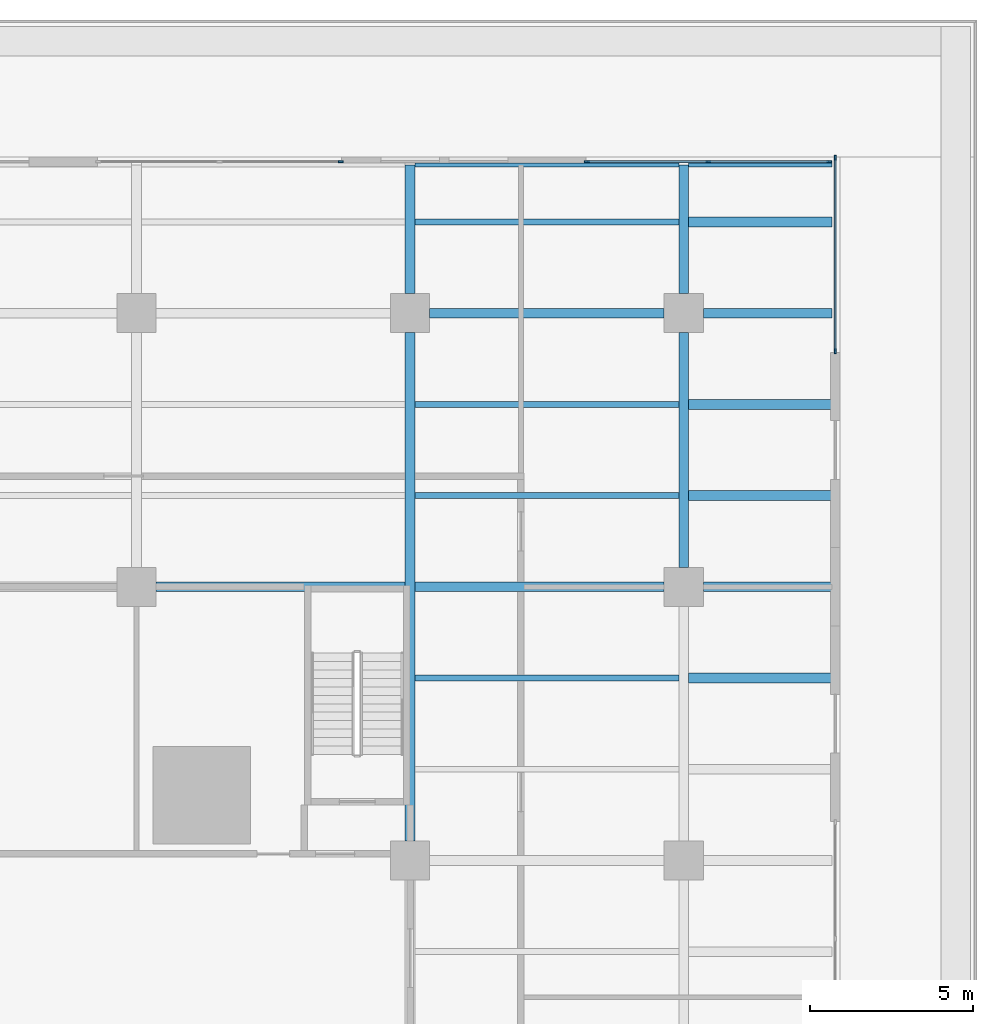
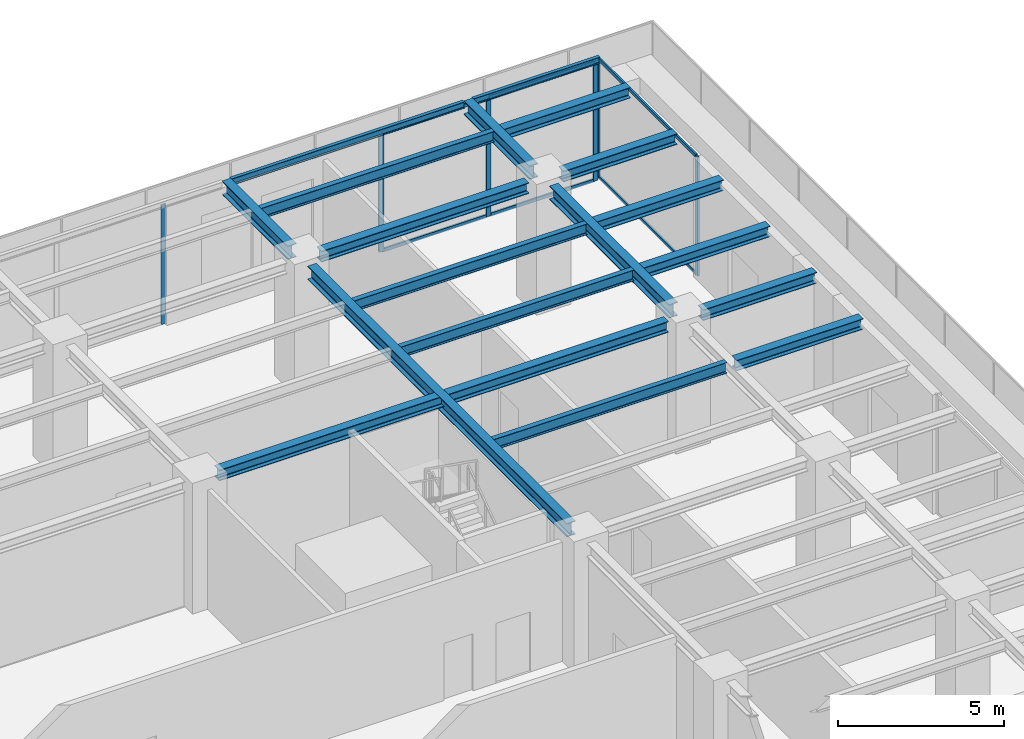
# One storey, part 14 of 32: 18 beams, 12 members, 3 elements without a shape of their own.
"""IFC4 building model written with IfcOpenShell, lengths in metres."""

from ifc_helpers import new_model, si_unit, direction, frame, origin, origin_2d, place, context, subcontext, project, spatial, rectangle, i_section, extrude, material, material_profile, profile_set, type_object, element, aggregate, save


model = new_model("IFC4")

# Units and contexts
model_context = context("Model", 3, precision=1e-05, world=origin(), true_north=direction((0.0, 1.0)))
body_context = subcontext(model_context, "Body", "Model", "MODEL_VIEW")
ifc_project = project(units=[si_unit("LENGTHUNIT", "METRE"), si_unit("AREAUNIT", "SQUARE_METRE"), si_unit("VOLUMEUNIT", "CUBIC_METRE"), si_unit("PLANEANGLEUNIT", "RADIAN"), si_unit("MASSUNIT", "GRAM", prefix="KILO")], contexts=[model_context])

# Site, building, storey
site_placement = place(None, origin())
site = spatial("IfcSite", under=ifc_project, at=site_placement, CompositionType="ELEMENT")
building_placement = place(site_placement, origin())
building = spatial("IfcBuilding", under=site, at=building_placement, Name="Khepri Terraces", CompositionType="ELEMENT")
storey_placement = place(building_placement, frame((0.0, 0.0, 12.0)))
storey = spatial("IfcBuildingStorey", under=building, at=storey_placement, Name="L02", CompositionType="ELEMENT", Elevation=12.0)

# Curtain wall, members
ifc_material_1 = material(Name="Anodised aluminium bronze curtain wall", Category="aluminium")
curtain_wall_type = type_object("IfcCurtainWallType", Name="CW-SYS2-PODIUM", PredefinedType="NOTDEFINED", material=ifc_material_1)
curtain_wall_1_placement = place(storey_placement, origin())
curtain_wall_1 = element("IfcCurtainWall", 1, at=curtain_wall_1_placement, inside=storey, type_object=curtain_wall_type, Name="Curtain wall CW2 L02 E", PredefinedType="NOTDEFINED")
ifc_material_2 = material(Name="Anodised aluminium bronze", Category="aluminium")
ifc_material_profile_1 = material_profile(ifc_material_2, rectangle(XDim=0.06005859375, YDim=0.159912109375, at=origin_2d()), Name="Anodised aluminium bronze", Category="aluminium")
ifc_profile_set_1 = profile_set([ifc_material_profile_1], Name="Anodised aluminium bronze")
member_type_1 = type_object("IfcMemberType", Name="CW-MULLION-60x160", PredefinedType="MULLION", material=ifc_profile_set_1)
member_1_placement = place(storey_placement, frame((38.25, 32.429931640625, 0.0), z_axis=(0.0, 0.0, 1.0), x_axis=(-1.0, 0.0, 0.0)))
member_1 = element("IfcMember", 2, at=member_1_placement, type_object=member_type_1, Name="CW2 mullion 1", PredefinedType="MULLION", context=body_context, shape_type="SweptSolid", body=[
    extrude(rectangle(XDim=0.06005859375, YDim=0.159912109375, at=origin_2d()), origin(), (0.0, 0.0, 1.0), 4.3798828125),
])
member_2_placement = place(storey_placement, frame((38.25, 38.3701171875, 0.0), z_axis=(0.0, 0.0, 1.0), x_axis=(-1.0, 0.0, 0.0)))
member_2 = element("IfcMember", 3, at=member_2_placement, type_object=member_type_1, Name="CW2 mullion 2", PredefinedType="MULLION", context=body_context, shape_type="SweptSolid", body=[
    extrude(rectangle(XDim=0.06005859375, YDim=0.159912109375, at=origin_2d()), origin(), (0.0, 0.0, 1.0), 4.3798828125),
])

curtain_wall_2_placement = place(storey_placement, origin())
curtain_wall_2 = element("IfcCurtainWall", 4, at=curtain_wall_2_placement, inside=storey, type_object=curtain_wall_type, Name="Curtain wall CW2 L02 N", PredefinedType="NOTDEFINED")
member_3_placement = place(storey_placement, frame((38.070068359375, 38.25, 0.0), z_axis=(0.0, 0.0, 1.0), x_axis=(0.0, -1.0, 0.0)))
member_3 = element("IfcMember", 5, at=member_3_placement, type_object=member_type_1, Name="CW2 mullion 1", PredefinedType="MULLION", context=body_context, shape_type="SweptSolid", body=[
    extrude(rectangle(XDim=0.06005859375, YDim=0.159912109375, at=origin_2d()), origin(), (0.0, 0.0, 1.0), 4.3798828125),
])
member_4_placement = place(storey_placement, frame((34.35009765625, 38.25, 0.0), z_axis=(0.0, 0.0, 1.0), x_axis=(0.0, -1.0, 0.0)))
member_4 = element("IfcMember", 6, at=member_4_placement, type_object=member_type_1, Name="CW2 mullion 2", PredefinedType="MULLION", context=body_context, shape_type="SweptSolid", body=[
    extrude(rectangle(XDim=0.06005859375, YDim=0.159912109375, at=origin_2d()), origin(), (0.0, 0.0, 1.0), 4.3798828125),
])
member_5_placement = place(storey_placement, frame((30.6298828125, 38.25, 0.0), z_axis=(0.0, 0.0, 1.0), x_axis=(0.0, -1.0, 0.0)))
member_5 = element("IfcMember", 7, at=member_5_placement, type_object=member_type_1, Name="CW2 mullion 3", PredefinedType="MULLION", context=body_context, shape_type="SweptSolid", body=[
    extrude(rectangle(XDim=0.06005859375, YDim=0.159912109375, at=origin_2d()), origin(), (0.0, 0.0, 1.0), 4.3798828125),
])

# Curtain wall, member
curtain_wall_3_placement = place(storey_placement, origin())
curtain_wall_3 = element("IfcCurtainWall", 8, at=curtain_wall_3_placement, inside=storey, type_object=curtain_wall_type, Name="Curtain wall CW2 L02 N", PredefinedType="NOTDEFINED")
member_6_placement = place(storey_placement, frame((23.070068359375, 38.25, 0.0), z_axis=(0.0, 0.0, 1.0), x_axis=(0.0, -1.0, 0.0)))
member_6 = element("IfcMember", 9, at=member_6_placement, type_object=member_type_1, Name="CW2 mullion 1", PredefinedType="MULLION", context=body_context, shape_type="SweptSolid", body=[
    extrude(rectangle(XDim=0.06005859375, YDim=0.159912109375, at=origin_2d()), origin(), (0.0, 0.0, 1.0), 4.3798828125),
])
aggregate(curtain_wall_3, [member_6])

# Member
ifc_material_profile_2 = material_profile(ifc_material_2, rectangle(XDim=0.06005859375, YDim=0.1201171875, at=origin_2d()), Name="Anodised aluminium bronze", Category="aluminium")
ifc_profile_set_2 = profile_set([ifc_material_profile_2], Name="Anodised aluminium bronze")
member_type_2 = type_object("IfcMemberType", Name="CW-TRANSOM-60x120", PredefinedType="USERDEFINED", material=ifc_profile_set_2)
member_7_placement = place(storey_placement, frame((38.25, 32.4599609375, 0.030029296875), z_axis=(0.0, 1.0, 0.0), x_axis=(-1.0, 0.0, 0.0)))
member_7 = element("IfcMember", 10, at=member_7_placement, type_object=member_type_2, Name="CW2 transom 1.1", ObjectType="TRANSOM", PredefinedType="USERDEFINED", context=body_context, shape_type="SweptSolid", body=[
    extrude(rectangle(XDim=0.06005859375, YDim=0.1201171875, at=origin_2d()), origin(), (0.0, 0.0, 1.0), 5.880126953125),
])

member_8_placement = place(storey_placement, frame((38.25, 32.4599609375, 4.35009765625), z_axis=(0.0, 1.0, 0.0), x_axis=(-1.0, 0.0, 0.0)))
member_8 = element("IfcMember", 11, at=member_8_placement, type_object=member_type_2, Name="CW2 transom 1.2", ObjectType="TRANSOM", PredefinedType="USERDEFINED", context=body_context, shape_type="SweptSolid", body=[
    extrude(rectangle(XDim=0.06005859375, YDim=0.1201171875, at=origin_2d()), origin(), (0.0, 0.0, 1.0), 5.880126953125),
])

aggregate(curtain_wall_1, [member_1, member_2, member_7, member_8])

member_9_placement = place(storey_placement, frame((38.0400390625, 38.25, 0.030029296875), z_axis=(-1.0, 0.0, 0.0), x_axis=(0.0, -1.0, 0.0)))
member_9 = element("IfcMember", 12, at=member_9_placement, type_object=member_type_2, Name="CW2 transom 1.1", ObjectType="TRANSOM", PredefinedType="USERDEFINED", context=body_context, shape_type="SweptSolid", body=[
    extrude(rectangle(XDim=0.06005859375, YDim=0.1201171875, at=origin_2d()), origin(), (0.0, 0.0, 1.0), 3.66015625),
])

member_10_placement = place(storey_placement, frame((38.0400390625, 38.25, 4.35009765625), z_axis=(-1.0, 0.0, 0.0), x_axis=(0.0, -1.0, 0.0)))
member_10 = element("IfcMember", 13, at=member_10_placement, type_object=member_type_2, Name="CW2 transom 1.2", ObjectType="TRANSOM", PredefinedType="USERDEFINED", context=body_context, shape_type="SweptSolid", body=[
    extrude(rectangle(XDim=0.06005859375, YDim=0.1201171875, at=origin_2d()), origin(), (0.0, 0.0, 1.0), 3.66015625),
])

member_11_placement = place(storey_placement, frame((34.320068359375, 38.25, 0.030029296875), z_axis=(-1.0, 0.0, 0.0), x_axis=(0.0, -1.0, 0.0)))
member_11 = element("IfcMember", 14, at=member_11_placement, type_object=member_type_2, Name="CW2 transom 2.1", ObjectType="TRANSOM", PredefinedType="USERDEFINED", context=body_context, shape_type="SweptSolid", body=[
    extrude(rectangle(XDim=0.06005859375, YDim=0.1201171875, at=origin_2d()), origin(), (0.0, 0.0, 1.0), 3.66015625),
])

member_12_placement = place(storey_placement, frame((34.320068359375, 38.25, 4.35009765625), z_axis=(-1.0, 0.0, 0.0), x_axis=(0.0, -1.0, 0.0)))
member_12 = element("IfcMember", 15, at=member_12_placement, type_object=member_type_2, Name="CW2 transom 2.2", ObjectType="TRANSOM", PredefinedType="USERDEFINED", context=body_context, shape_type="SweptSolid", body=[
    extrude(rectangle(XDim=0.06005859375, YDim=0.1201171875, at=origin_2d()), origin(), (0.0, 0.0, 1.0), 3.66015625),
])

aggregate(curtain_wall_2, [member_3, member_4, member_5, member_9, member_10, member_11, member_12])

# Beams
ifc_material_3 = material(Name="Steel S355", Category="steel")
ifc_material_profile_3 = material_profile(ifc_material_3, i_section(OverallWidth=0.1201171875, OverallDepth=0.239990234375, WebThickness=0.006103515625, FlangeThickness=0.009765625, FilletRadius=0.014892578125, at=origin_2d()), Name="Steel S355", Category="steel")
ifc_profile_set_3 = profile_set([ifc_material_profile_3], Name="Steel S355")
beam_type_1 = type_object("IfcBeamType", Name="Podium cantilever edge beam L03 IPE 240", PredefinedType="SPANDREL", material=ifc_profile_set_3)
beam_1_placement = place(storey_placement, frame((33.75, 38.14990234375, 4.47998046875), z_axis=(1.0, 0.0, 0.0), x_axis=(0.0, 1.0, 0.0)))
element("IfcBeam", 16, at=beam_1_placement, inside=storey, type_object=beam_type_1, Name="Podium edge beam L03 020", PredefinedType="SPANDREL", context=body_context, shape_type="SweptSolid", body=[
    extrude(i_section(OverallWidth=0.1201171875, OverallDepth=0.239990234375, WebThickness=0.006103515625, FlangeThickness=0.009765625, FilletRadius=0.014892578125, at=origin_2d()), origin(), (0.0, 0.0, 1.0), 4.39990234375),
])
ifc_material_profile_4 = material_profile(ifc_material_3, i_section(OverallWidth=0.300048828125, OverallDepth=0.5, WebThickness=0.014404296875, FlangeThickness=0.028076171875, FilletRadius=0.027099609375, at=origin_2d()), Name="Steel S355", Category="steel")
ifc_profile_set_4 = profile_set([ifc_material_profile_4], Name="Steel S355")
beam_type_2 = type_object("IfcBeamType", Name="Podium cantilever girder L03 HEB 500", PredefinedType="BEAM", material=ifc_profile_set_4)
for number, where, z_axis, x_axis, name in (
    (17, (25.199951171875, 34.199951171875, 4.35009765625), (0.0, 1.0, 0.0), (-1.0, 0.0, 0.0), "Podium girder L03 046"),
    (18, (33.60009765625, 34.199951171875, 4.35009765625), (0.0, 1.0, 0.0), (-1.0, 0.0, 0.0), "Podium girder L03 056"),
):
    element("IfcBeam", number, at=place(storey_placement, frame(where, z_axis=z_axis, x_axis=x_axis)), inside=storey, type_object=beam_type_2, Name=name, PredefinedType="BEAM", context=body_context, shape_type="SweptSolid", body=[
        extrude(i_section(OverallWidth=0.300048828125, OverallDepth=0.5, WebThickness=0.014404296875, FlangeThickness=0.028076171875, FilletRadius=0.027099609375, at=origin_2d()), origin(), (0.0, 0.0, 1.0), 3.949951171875),
    ])
ifc_material_profile_5 = material_profile(ifc_material_3, i_section(OverallWidth=0.300048828125, OverallDepth=0.389892578125, WebThickness=0.010986328125, FlangeThickness=0.01904296875, FilletRadius=0.027099609375, at=origin_2d()), Name="Steel S355", Category="steel")
ifc_profile_set_5 = profile_set([ifc_material_profile_5], Name="Steel S355")
beam_type_3 = type_object("IfcBeamType", Name="Podium cantilever joist L03 HEA 400", PredefinedType="JOIST", material=ifc_profile_set_5)
for number, where, z_axis, x_axis, name in (
    (19, (33.75, 22.39990234375, 4.405029296875), (1.0, 0.0, 0.0), (0.0, 1.0, 0.0), "Podium cantilever joist L03 116"),
    (20, (33.75, 28.0, 4.405029296875), (1.0, 0.0, 0.0), (0.0, 1.0, 0.0), "Podium cantilever joist L03 134"),
    (21, (33.75, 30.800048828125, 4.405029296875), (1.0, 0.0, 0.0), (0.0, 1.0, 0.0), "Podium cantilever joist L03 144"),
    (22, (33.75, 36.39990234375, 4.405029296875), (1.0, 0.0, 0.0), (0.0, 1.0, 0.0), "Podium cantilever joist L03 164"),
):
    element("IfcBeam", number, at=place(storey_placement, frame(where, z_axis=z_axis, x_axis=x_axis)), inside=storey, type_object=beam_type_3, Name=name, PredefinedType="JOIST", context=body_context, shape_type="SweptSolid", body=[
        extrude(i_section(OverallWidth=0.300048828125, OverallDepth=0.389892578125, WebThickness=0.010986328125, FlangeThickness=0.01904296875, FilletRadius=0.027099609375, at=origin_2d()), origin(), (0.0, 0.0, 1.0), 4.39990234375),
    ])
ifc_material_profile_6 = material_profile(ifc_material_3, i_section(OverallWidth=0.1201171875, OverallDepth=0.239990234375, WebThickness=0.006103515625, FlangeThickness=0.009765625, FilletRadius=0.014892578125, at=origin_2d()), Name="Steel S355", Category="steel")
ifc_profile_set_6 = profile_set([ifc_material_profile_6], Name="Steel S355")
beam_type_4 = type_object("IfcBeamType", Name="Podium edge beam L03 IPE 240", PredefinedType="SPANDREL", material=ifc_profile_set_6)
beam_2_placement = place(storey_placement, frame((25.35009765625, 38.14990234375, 4.47998046875), z_axis=(1.0, 0.0, 0.0), x_axis=(0.0, 1.0, 0.0)))
element("IfcBeam", 23, at=beam_2_placement, inside=storey, type_object=beam_type_4, Name="Podium edge beam L03 019", PredefinedType="SPANDREL", context=body_context, shape_type="SweptSolid", body=[
    extrude(i_section(OverallWidth=0.1201171875, OverallDepth=0.239990234375, WebThickness=0.006103515625, FlangeThickness=0.009765625, FilletRadius=0.014892578125, at=origin_2d()), origin(), (0.0, 0.0, 1.0), 8.099853515625),
])
ifc_material_profile_7 = material_profile(ifc_material_3, i_section(OverallWidth=0.300048828125, OverallDepth=0.5, WebThickness=0.014404296875, FlangeThickness=0.028076171875, FilletRadius=0.027099609375, at=origin_2d()), Name="Steel S355", Category="steel")
ifc_profile_set_7 = profile_set([ifc_material_profile_7], Name="Steel S355")
beam_type_5 = type_object("IfcBeamType", Name="Podium girder L03 HEB 500", PredefinedType="BEAM", material=ifc_profile_set_7)
beam_3_placement = place(storey_placement, frame((25.199951171875, 17.39990234375, 4.35009765625), z_axis=(0.0, 1.0, 0.0), x_axis=(-1.0, 0.0, 0.0)))
element("IfcBeam", 24, at=beam_3_placement, inside=storey, type_object=beam_type_5, Name="Podium girder L03 045", PredefinedType="BEAM", context=body_context, shape_type="SweptSolid", body=[
    extrude(i_section(OverallWidth=0.300048828125, OverallDepth=0.5, WebThickness=0.014404296875, FlangeThickness=0.028076171875, FilletRadius=0.027099609375, at=origin_2d()), origin(), (0.0, 0.0, 1.0), 15.60009765625),
])
beam_4_placement = place(storey_placement, frame((33.60009765625, 25.800048828125, 4.35009765625), z_axis=(0.0, 1.0, 0.0), x_axis=(-1.0, 0.0, 0.0)))
element("IfcBeam", 25, at=beam_4_placement, inside=storey, type_object=beam_type_5, Name="Podium girder L03 055", PredefinedType="BEAM", context=body_context, shape_type="SweptSolid", body=[
    extrude(i_section(OverallWidth=0.300048828125, OverallDepth=0.5, WebThickness=0.014404296875, FlangeThickness=0.028076171875, FilletRadius=0.027099609375, at=origin_2d()), origin(), (0.0, 0.0, 1.0), 7.199951171875),
])
ifc_material_profile_8 = material_profile(ifc_material_3, i_section(OverallWidth=0.300048828125, OverallDepth=0.39990234375, WebThickness=0.013427734375, FlangeThickness=0.02392578125, FilletRadius=0.027099609375, at=origin_2d()), Name="Steel S355", Category="steel")
ifc_profile_set_8 = profile_set([ifc_material_profile_8], Name="Steel S355")
beam_type_6 = type_object("IfcBeamType", Name="Podium girder L03 grid line HEB 400", PredefinedType="BEAM", material=ifc_profile_set_8)
beam_5_placement = place(storey_placement, frame((17.39990234375, 25.199951171875, 4.39990234375), z_axis=(1.0, 0.0, 0.0), x_axis=(0.0, 1.0, 0.0)))
element("IfcBeam", 26, at=beam_5_placement, inside=storey, type_object=beam_type_6, Name="Podium grid-line girder L03 123", PredefinedType="BEAM", context=body_context, shape_type="SweptSolid", body=[
    extrude(i_section(OverallWidth=0.300048828125, OverallDepth=0.39990234375, WebThickness=0.013427734375, FlangeThickness=0.02392578125, FilletRadius=0.027099609375, at=origin_2d()), origin(), (0.0, 0.0, 1.0), 15.60009765625),
])
beam_6_placement = place(storey_placement, frame((34.199951171875, 25.199951171875, 4.39990234375), z_axis=(1.0, 0.0, 0.0), x_axis=(0.0, 1.0, 0.0)))
element("IfcBeam", 27, at=beam_6_placement, inside=storey, type_object=beam_type_6, Name="Podium grid-line girder L03 124", PredefinedType="BEAM", context=body_context, shape_type="SweptSolid", body=[
    extrude(i_section(OverallWidth=0.300048828125, OverallDepth=0.39990234375, WebThickness=0.013427734375, FlangeThickness=0.02392578125, FilletRadius=0.027099609375, at=origin_2d()), origin(), (0.0, 0.0, 1.0), 3.949951171875),
])
beam_7_placement = place(storey_placement, frame((25.800048828125, 33.60009765625, 4.39990234375), z_axis=(1.0, 0.0, 0.0), x_axis=(0.0, 1.0, 0.0)))
element("IfcBeam", 28, at=beam_7_placement, inside=storey, type_object=beam_type_6, Name="Podium grid-line girder L03 153", PredefinedType="BEAM", context=body_context, shape_type="SweptSolid", body=[
    extrude(i_section(OverallWidth=0.300048828125, OverallDepth=0.39990234375, WebThickness=0.013427734375, FlangeThickness=0.02392578125, FilletRadius=0.027099609375, at=origin_2d()), origin(), (0.0, 0.0, 1.0), 7.199951171875),
])
beam_8_placement = place(storey_placement, frame((34.199951171875, 33.60009765625, 4.39990234375), z_axis=(1.0, 0.0, 0.0), x_axis=(0.0, 1.0, 0.0)))
element("IfcBeam", 29, at=beam_8_placement, inside=storey, type_object=beam_type_6, Name="Podium grid-line girder L03 154", PredefinedType="BEAM", context=body_context, shape_type="SweptSolid", body=[
    extrude(i_section(OverallWidth=0.300048828125, OverallDepth=0.39990234375, WebThickness=0.013427734375, FlangeThickness=0.02392578125, FilletRadius=0.027099609375, at=origin_2d()), origin(), (0.0, 0.0, 1.0), 3.949951171875),
])
ifc_material_profile_9 = material_profile(ifc_material_3, i_section(OverallWidth=0.179931640625, OverallDepth=0.39990234375, WebThickness=0.008544921875, FlangeThickness=0.013427734375, FilletRadius=0.02099609375, at=origin_2d()), Name="Steel S355", Category="steel")
ifc_profile_set_9 = profile_set([ifc_material_profile_9], Name="Steel S355")
beam_type_7 = type_object("IfcBeamType", Name="Podium joist L03 IPE 400", PredefinedType="JOIST", material=ifc_profile_set_9)
for number, where, z_axis, x_axis, name in (
    (30, (25.35009765625, 22.39990234375, 4.39990234375), (1.0, 0.0, 0.0), (0.0, 1.0, 0.0), "Podium joist L03 115"),
    (31, (25.35009765625, 28.0, 4.39990234375), (1.0, 0.0, 0.0), (0.0, 1.0, 0.0), "Podium joist L03 133"),
    (32, (25.35009765625, 30.800048828125, 4.39990234375), (1.0, 0.0, 0.0), (0.0, 1.0, 0.0), "Podium joist L03 143"),
    (33, (25.35009765625, 36.39990234375, 4.39990234375), (1.0, 0.0, 0.0), (0.0, 1.0, 0.0), "Podium joist L03 163"),
):
    element("IfcBeam", number, at=place(storey_placement, frame(where, z_axis=z_axis, x_axis=x_axis)), inside=storey, type_object=beam_type_7, Name=name, PredefinedType="JOIST", context=body_context, shape_type="SweptSolid", body=[
        extrude(i_section(OverallWidth=0.179931640625, OverallDepth=0.39990234375, WebThickness=0.008544921875, FlangeThickness=0.013427734375, FilletRadius=0.02099609375, at=origin_2d()), origin(), (0.0, 0.0, 1.0), 8.099853515625),
    ])

save(model, "model.ifc")
